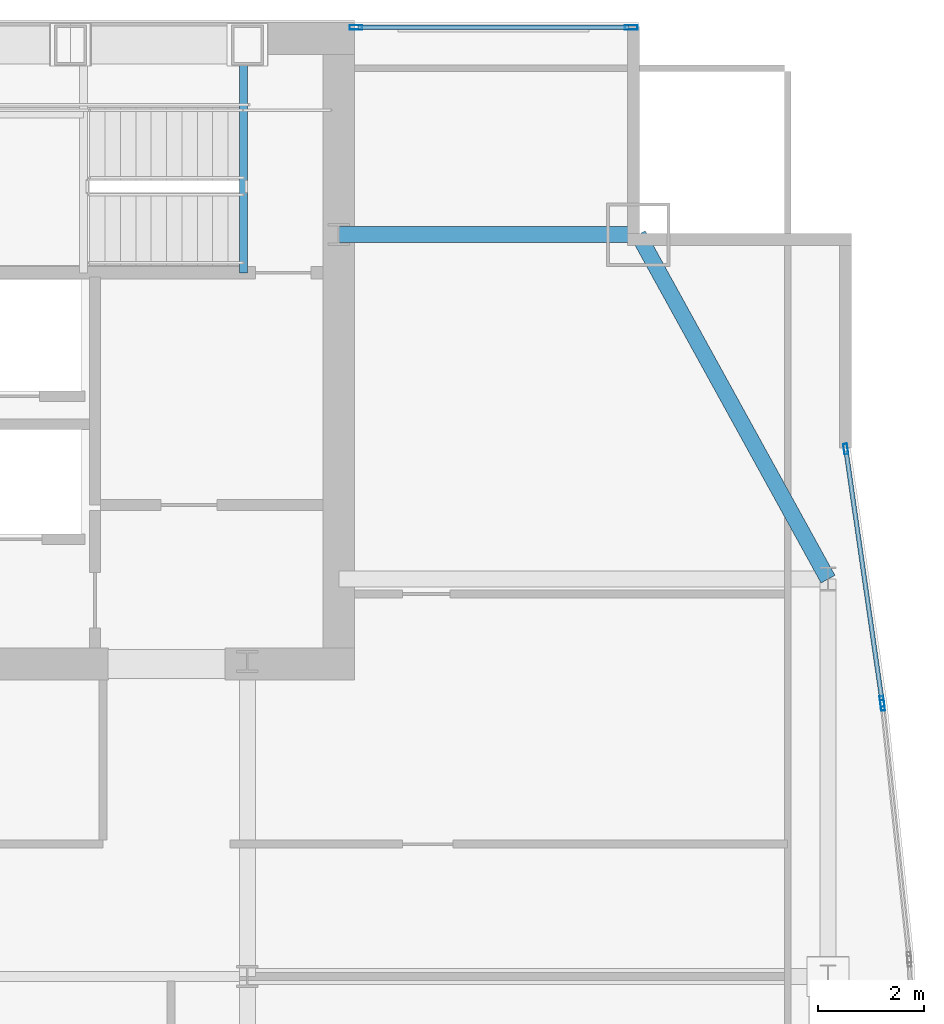
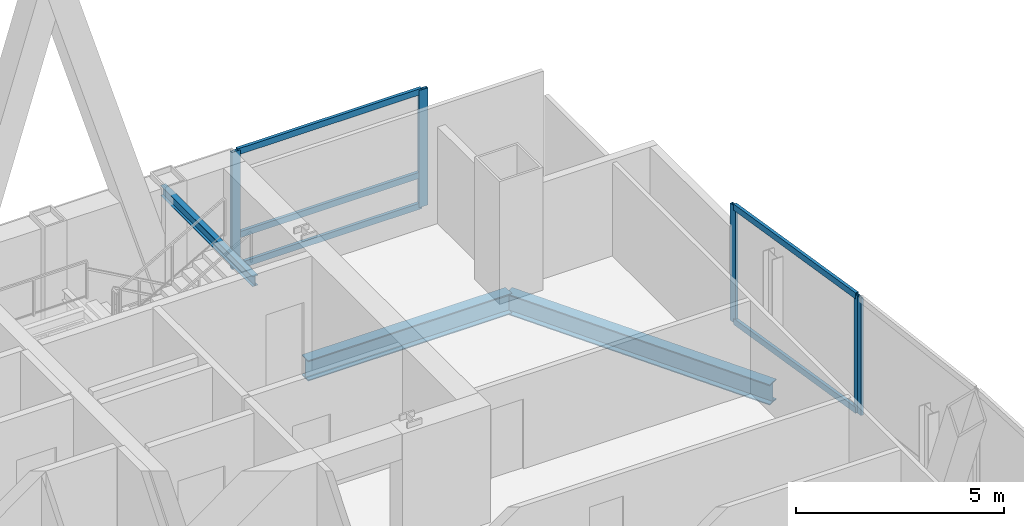
# One storey, part 25 of 32: 10 members, 3 beams, 3 elements without a shape of their own.
"""IFC4 building model written with IfcOpenShell, lengths in metres."""

from ifc_helpers import new_model, si_unit, direction, frame, origin, origin_2d, place, context, subcontext, project, spatial, hollow_rectangle, i_section, extrude, material, material_profile, profile_set, type_object, element, aggregate, save


model = new_model("IFC4")

# Units and contexts
model_context = context("Model", 3, precision=1e-05, world=origin(), true_north=direction((0.0, 1.0)))
body_context = subcontext(model_context, "Body", "Model", "MODEL_VIEW")
ifc_project = project(units=[si_unit("LENGTHUNIT", "METRE"), si_unit("AREAUNIT", "SQUARE_METRE"), si_unit("VOLUMEUNIT", "CUBIC_METRE"), si_unit("PLANEANGLEUNIT", "RADIAN"), si_unit("MASSUNIT", "GRAM", prefix="KILO")], contexts=[model_context])

# Site, building, storey
site_placement = place(None, origin())
site = spatial("IfcSite", under=ifc_project, at=site_placement, CompositionType="ELEMENT")
building_placement = place(site_placement, origin())
building = spatial("IfcBuilding", under=site, at=building_placement, Name="Khoronbel Lancet Exchange", CompositionType="ELEMENT")
storey_placement = place(building_placement, frame((0.0, 0.0, 199.39990234375)))
storey = spatial("IfcBuildingStorey", under=building, at=storey_placement, Name="L50", CompositionType="ELEMENT", Elevation=199.39990234375)

# Beams
ifc_material_1 = material(Name="Steel S355", Category="steel")
ifc_material_profile_1 = material_profile(ifc_material_1, i_section(OverallWidth=0.14990234375, OverallDepth=0.300048828125, WebThickness=0.007080078125, FlangeThickness=0.0107421875, at=origin_2d()), Name="IPE 300")
ifc_profile_set_1 = profile_set([ifc_material_profile_1], Name="Steel S355")
beam_type_1 = type_object("IfcBeamType", Name="BM-BJ8", PredefinedType="JOIST", material=ifc_profile_set_1)
beam_1_placement = place(storey_placement, frame((54.60009765625, 48.97998046875, 3.16015625), z_axis=(0.0, 1.0, 0.0), x_axis=(-1.0, 0.0, 0.0)))
element("IfcBeam", 1, at=beam_1_placement, inside=storey, type_object=beam_type_1, Name="Level L50 stair ST2 upper-flight arrival trimmer beam", PredefinedType="JOIST", context=body_context, shape_type="SweptSolid", body=[
    extrude(i_section(OverallWidth=0.14990234375, OverallDepth=0.300048828125, WebThickness=0.007080078125, FlangeThickness=0.0107421875, at=origin_2d()), origin(), (0.0, 0.0, 1.0), 4.419921875),
])
ifc_material_profile_2 = material_profile(ifc_material_1, i_section(OverallWidth=0.300048828125, OverallDepth=0.60009765625, WebThickness=0.015380859375, FlangeThickness=0.030029296875, at=origin_2d()), Name="HEB 600")
ifc_profile_set_2 = profile_set([ifc_material_profile_2], Name="Steel S355")
beam_type_2 = type_object("IfcBeamType", Name="BM-BSP2", PredefinedType="SPANDREL", material=ifc_profile_set_2)
beam_2_placement = place(storey_placement, frame((65.6298828125, 43.199951171875, -0.4599609375), z_axis=(-0.482418808117, 0.875940690672, 0.0), x_axis=(-0.875940690672, -0.482418808117, 0.0)))
element("IfcBeam", 2, at=beam_2_placement, inside=storey, type_object=beam_type_2, Name="Level L50 perimeter spandrel beam SP15", PredefinedType="SPANDREL", context=body_context, shape_type="SweptSolid", body=[
    extrude(i_section(OverallWidth=0.300048828125, OverallDepth=0.60009765625, WebThickness=0.015380859375, FlangeThickness=0.030029296875, at=origin_2d()), origin(), (0.0, 0.0, 1.0), 7.420654296875),
])
beam_3_placement = place(storey_placement, frame((62.050048828125, 49.699951171875, -0.4599609375), z_axis=(-1.0, 0.0, 0.0), x_axis=(0.0, -1.0, 0.0)))
element("IfcBeam", 3, at=beam_3_placement, inside=storey, type_object=beam_type_2, Name="Level L50 north flank tie spandrel SP23", PredefinedType="SPANDREL", context=body_context, shape_type="SweptSolid", body=[
    extrude(i_section(OverallWidth=0.300048828125, OverallDepth=0.60009765625, WebThickness=0.015380859375, FlangeThickness=0.030029296875, at=origin_2d()), origin(), (0.0, 0.0, 1.0), 5.650146484375),
])

# Curtain wall, members
ifc_material_2 = material(Name="Low-E Solar Control Insulating Glass", Category="glass")
curtain_wall_type_1 = type_object("IfcCurtainWallType", Name="CW-3", PredefinedType="NOTDEFINED", material=ifc_material_2)
curtain_wall_1_placement = place(storey_placement, origin())
curtain_wall_1 = element("IfcCurtainWall", 4, at=curtain_wall_1_placement, inside=storey, type_object=curtain_wall_type_1, Name="Unitised curtain wall CW-L50-NEFLK", PredefinedType="NOTDEFINED")
ifc_material_3 = material(Name="Bronze-Anodised Aluminium 6063-T6", Category="aluminium")
ifc_material_profile_3 = material_profile(ifc_material_3, hollow_rectangle(XDim=0.0849609375, YDim=0.239990234375, WallThickness=0.006103515625, at=origin_2d()), Name="ALU MULLION 85x240")
ifc_profile_set_3 = profile_set([ifc_material_profile_3], Name="Bronze-Anodised Aluminium 6063-T6")
member_type_1 = type_object("IfcMemberType", Name="MEM-CWM1", PredefinedType="MULLION", material=ifc_profile_set_3)
member_1_placement = place(storey_placement, frame((61.91748046875, 53.610107421875, 0.0), z_axis=(0.0, 0.0, 1.0), x_axis=(0.0, -1.0, 0.0)))
member_1 = element("IfcMember", 5, at=member_1_placement, type_object=member_type_1, Name="CW3 mullion 1", PredefinedType="MULLION", context=body_context, shape_type="SweptSolid", body=[
    extrude(hollow_rectangle(XDim=0.0849609375, YDim=0.239990234375, WallThickness=0.006103515625, at=origin_2d()), origin(), (0.0, 0.0, 1.0), 3.440185546875),
])
member_2_placement = place(storey_placement, frame((56.722412109375, 53.610107421875, 0.0), z_axis=(0.0, 0.0, 1.0), x_axis=(0.0, -1.0, 0.0)))
member_2 = element("IfcMember", 6, at=member_2_placement, type_object=member_type_1, Name="CW3 mullion 2", PredefinedType="MULLION", context=body_context, shape_type="SweptSolid", body=[
    extrude(hollow_rectangle(XDim=0.0849609375, YDim=0.239990234375, WallThickness=0.006103515625, at=origin_2d()), origin(), (0.0, 0.0, 1.0), 3.440185546875),
])

curtain_wall_type_2 = type_object("IfcCurtainWallType", Name="CW-4", PredefinedType="NOTDEFINED", material=ifc_material_2)
curtain_wall_2_placement = place(storey_placement, origin())
curtain_wall_2 = element("IfcCurtainWall", 7, at=curtain_wall_2_placement, inside=storey, type_object=curtain_wall_type_2, Name="Unitised curtain wall CW-L50-E17", PredefinedType="NOTDEFINED")
ifc_material_profile_4 = material_profile(ifc_material_3, hollow_rectangle(XDim=0.074951171875, YDim=0.199951171875, WallThickness=0.0048828125, at=origin_2d()), Name="ALU MULLION 75x200")
ifc_profile_set_4 = profile_set([ifc_material_profile_4], Name="Bronze-Anodised Aluminium 6063-T6")
member_type_2 = type_object("IfcMemberType", Name="MEM-CWM2", PredefinedType="MULLION", material=ifc_profile_set_4)
member_3_placement = place(storey_placement, frame((65.96533203125, 45.656494140625, 0.0), z_axis=(0.0, 0.0, 1.0), x_axis=(0.989821424195, 0.142314961279, 0.0)))
member_3 = element("IfcMember", 8, at=member_3_placement, type_object=member_type_2, Name="CW4 mullion 1", PredefinedType="MULLION", context=body_context, shape_type="SweptSolid", body=[
    extrude(hollow_rectangle(XDim=0.074951171875, YDim=0.199951171875, WallThickness=0.0048828125, at=origin_2d()), origin(), (0.0, 0.0, 1.0), 3.440185546875),
])
member_4_placement = place(storey_placement, frame((66.650146484375, 40.892822265625, 0.0), z_axis=(0.0, 0.0, 1.0), x_axis=(0.989821424195, 0.142314961279, 0.0)))
member_4 = element("IfcMember", 9, at=member_4_placement, type_object=member_type_2, Name="CW4 mullion 2", PredefinedType="MULLION", context=body_context, shape_type="SweptSolid", body=[
    extrude(hollow_rectangle(XDim=0.074951171875, YDim=0.199951171875, WallThickness=0.0048828125, at=origin_2d()), origin(), (0.0, 0.0, 1.0), 3.440185546875),
])

# Curtain wall, member
curtain_wall_3_placement = place(storey_placement, origin())
curtain_wall_3 = element("IfcCurtainWall", 10, at=curtain_wall_3_placement, inside=storey, type_object=curtain_wall_type_2, Name="Unitised curtain wall CW-L50-E18", PredefinedType="NOTDEFINED")
member_5_placement = place(storey_placement, frame((66.659423828125, 40.818359375, 0.0), z_axis=(0.0, 0.0, 1.0), x_axis=(0.994505340069, 0.104685856606, 0.0)))
member_5 = element("IfcMember", 11, at=member_5_placement, type_object=member_type_2, Name="CW4 mullion 1", PredefinedType="MULLION", context=body_context, shape_type="SweptSolid", body=[
    extrude(hollow_rectangle(XDim=0.074951171875, YDim=0.199951171875, WallThickness=0.0048828125, at=origin_2d()), origin(), (0.0, 0.0, 1.0), 3.440185546875),
])
aggregate(curtain_wall_3, [member_5])

# Member
ifc_material_profile_5 = material_profile(ifc_material_3, hollow_rectangle(XDim=0.0849609375, YDim=0.179931640625, WallThickness=0.0048828125, at=origin_2d()), Name="ALU TRANSOM 85x180")
ifc_profile_set_5 = profile_set([ifc_material_profile_5], Name="Bronze-Anodised Aluminium 6063-T6")
member_type_3 = type_object("IfcMemberType", Name="MEM-CWT1", PredefinedType="USERDEFINED", material=ifc_profile_set_5)
member_6_placement = place(storey_placement, frame((61.875, 53.610107421875, 0.04248046875), z_axis=(-1.0, 0.0, 0.0), x_axis=(0.0, -1.0, 0.0)))
member_6 = element("IfcMember", 12, at=member_6_placement, type_object=member_type_3, Name="CW3 transom 1.1", ObjectType="TRANSOM", PredefinedType="USERDEFINED", context=body_context, shape_type="SweptSolid", body=[
    extrude(hollow_rectangle(XDim=0.0849609375, YDim=0.179931640625, WallThickness=0.0048828125, at=origin_2d()), origin(), (0.0, 0.0, 1.0), 5.110107421875),
])

member_7_placement = place(storey_placement, frame((61.875, 53.610107421875, 0.9501953125), z_axis=(-1.0, 0.0, 0.0), x_axis=(0.0, -1.0, 0.0)))
member_7 = element("IfcMember", 13, at=member_7_placement, type_object=member_type_3, Name="CW3 transom 1.2", ObjectType="TRANSOM", PredefinedType="USERDEFINED", context=body_context, shape_type="SweptSolid", body=[
    extrude(hollow_rectangle(XDim=0.0849609375, YDim=0.179931640625, WallThickness=0.0048828125, at=origin_2d()), origin(), (0.0, 0.0, 1.0), 5.110107421875),
])

member_8_placement = place(storey_placement, frame((61.875, 53.610107421875, 3.397705078125), z_axis=(-1.0, 0.0, 0.0), x_axis=(0.0, -1.0, 0.0)))
member_8 = element("IfcMember", 14, at=member_8_placement, type_object=member_type_3, Name="CW3 transom 1.3", ObjectType="TRANSOM", PredefinedType="USERDEFINED", context=body_context, shape_type="SweptSolid", body=[
    extrude(hollow_rectangle(XDim=0.0849609375, YDim=0.179931640625, WallThickness=0.0048828125, at=origin_2d()), origin(), (0.0, 0.0, 1.0), 5.110107421875),
])

aggregate(curtain_wall_1, [member_1, member_2, member_6, member_7, member_8])

member_9_placement = place(storey_placement, frame((65.970703125, 45.619384765625, 0.04248046875), z_axis=(0.142330314264, -0.989819216646, 0.0), x_axis=(0.989819216646, 0.142330314264, 0.0)))
member_9 = element("IfcMember", 15, at=member_9_placement, type_object=member_type_3, Name="CW4 transom 1.1", ObjectType="TRANSOM", PredefinedType="USERDEFINED", context=body_context, shape_type="SweptSolid", body=[
    extrude(hollow_rectangle(XDim=0.0849609375, YDim=0.179931640625, WallThickness=0.0048828125, at=origin_2d()), origin(), (0.0, 0.0, 1.0), 4.73779296875),
])

member_10_placement = place(storey_placement, frame((65.970703125, 45.619384765625, 3.397705078125), z_axis=(0.142330314264, -0.989819216646, 0.0), x_axis=(0.989819216646, 0.142330314264, 0.0)))
member_10 = element("IfcMember", 16, at=member_10_placement, type_object=member_type_3, Name="CW4 transom 1.2", ObjectType="TRANSOM", PredefinedType="USERDEFINED", context=body_context, shape_type="SweptSolid", body=[
    extrude(hollow_rectangle(XDim=0.0849609375, YDim=0.179931640625, WallThickness=0.0048828125, at=origin_2d()), origin(), (0.0, 0.0, 1.0), 4.73779296875),
])

aggregate(curtain_wall_2, [member_3, member_4, member_9, member_10])

save(model, "model.ifc")
